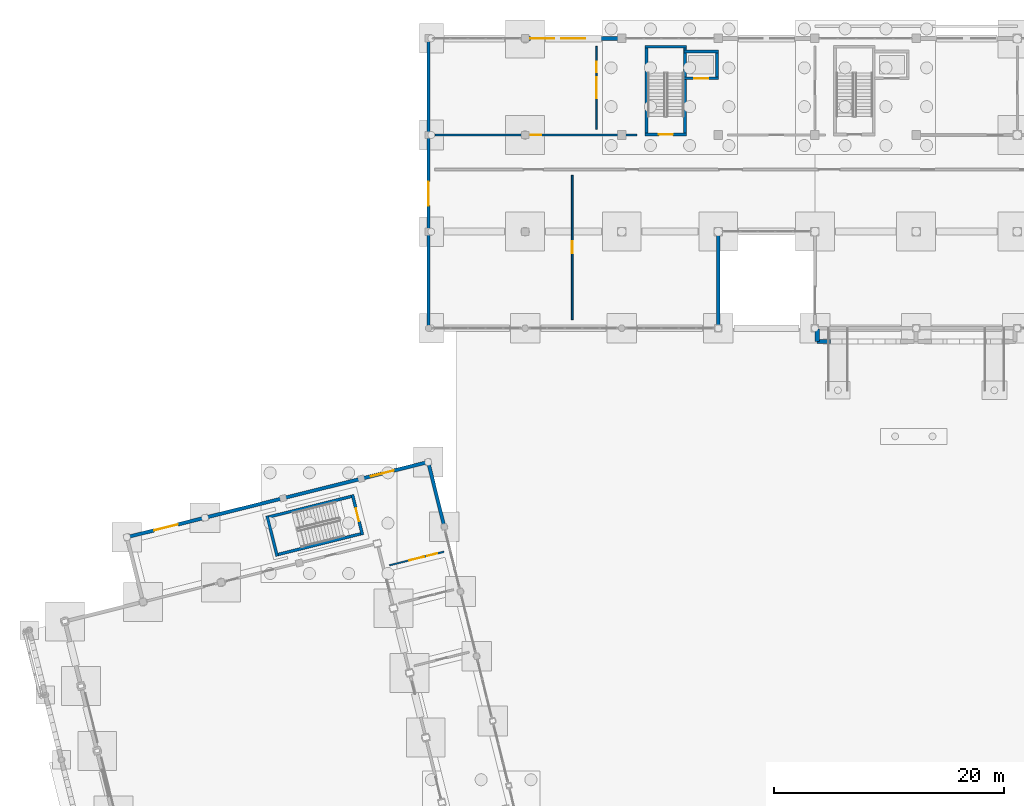
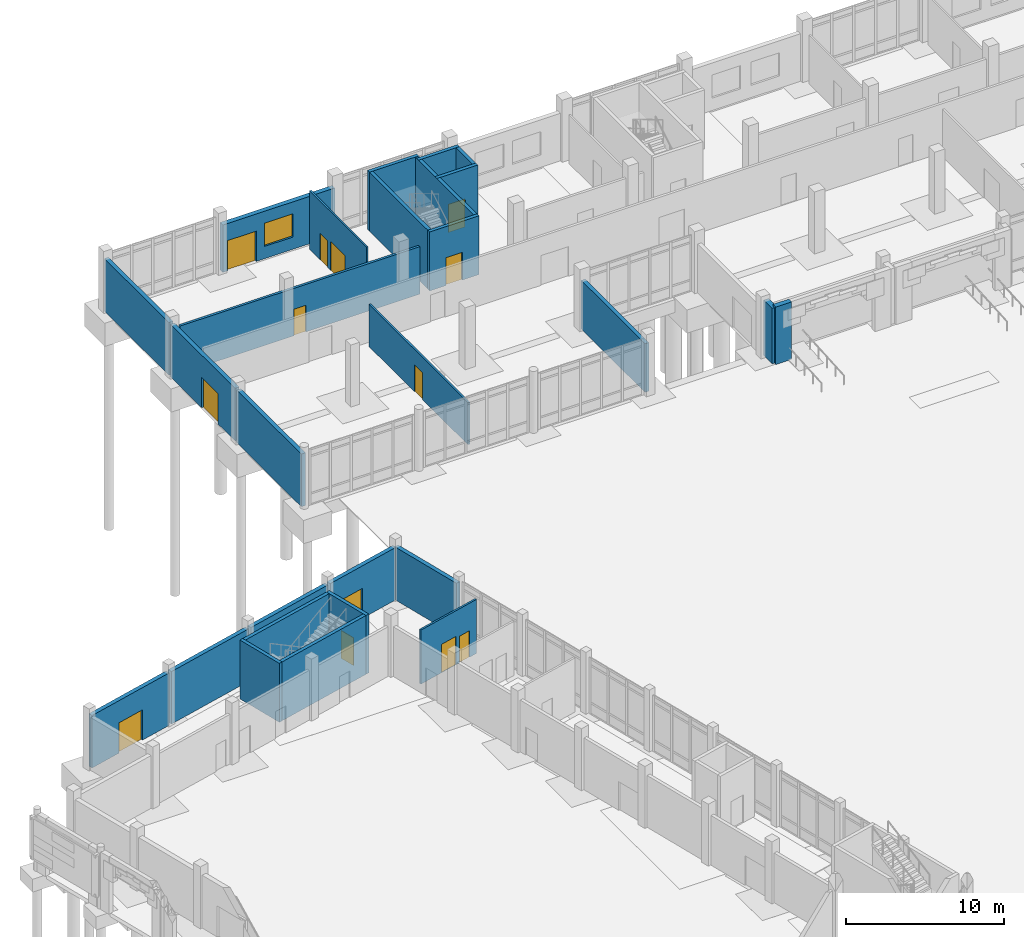
# One storey, part 46 of 72: 27 walls, 13 doors, 1 window, 14 openings.
"""IFC4 building model written with IfcOpenShell, lengths in metres."""

import ifcopenshell
import ifcopenshell.guid

model = None  # the IFC model being written
_history = None  # IfcOwnerHistory: only IFC2X3 demands one
_inside = {}  # id of a spatial element -> (the spatial element, [elements in it])
_under = {}  # id of a project, library or spatial element -> (it, [spatial elements below it])
_declared = {}  # id of a project -> (the project, [libraries it declares])
_typed = {}  # id of a type object -> (the type object, [elements of that type])
_made_of = {}  # id of a material, layer set ... -> (it, [elements and type objects made of it])


def new_model(schema):
    """Start an empty IFC model of exactly this schema.

    Asked for "IFC4X3", IfcOpenShell would pick the latest addendum, in which some entities
    have other attributes; the version numbers below select the first issue.
    IFC2X3 requires an IfcOwnerHistory on every rooted entity: one is made here for all.
    """
    global model, _history
    if schema == "IFC4X3":
        model = ifcopenshell.file(schema_version=(4, 3, 0, 0))
    else:
        model = ifcopenshell.file(schema=schema)
    _inside.clear()
    _under.clear()
    _declared.clear()
    _typed.clear()
    _made_of.clear()
    _history = None
    if model.schema == "IFC2X3":
        org = make("IfcOrganization", Name="unknown")
        user = make(
            "IfcPersonAndOrganization",
            ThePerson=make("IfcPerson", FamilyName="unknown"),
            TheOrganization=org,
        )
        app = make(
            "IfcApplication",
            ApplicationDeveloper=org,
            Version="unknown",
            ApplicationFullName="unknown",
            ApplicationIdentifier="unknown",
        )
        _history = make(
            "IfcOwnerHistory",
            OwningUser=user,
            OwningApplication=app,
            ChangeAction="ADDED",
            CreationDate=0,
        )
    return model


def make(cls, **values):
    """One entity of the class cls with the attributes given. An attribute that is None is left unset."""
    return model.create_entity(
        cls, **{name: value for name, value in values.items() if value is not None}
    )


def rooted(cls, **values):
    """An entity with a GlobalId (a new one), such as an element, a storey or a relation."""
    return make(cls, GlobalId=ifcopenshell.guid.new(), OwnerHistory=_history, **values)


def si_unit(unit_type, name, prefix=None):
    """IfcSIUnit, for example si_unit("LENGTHUNIT", "METRE", prefix="MILLI")."""
    return make("IfcSIUnit", UnitType=unit_type, Prefix=prefix, Name=name)


def assignment(units):
    """IfcUnitAssignment: the units of a project."""
    return None if units is None else make("IfcUnitAssignment", Units=units)


def point(xyz):
    """IfcCartesianPoint."""
    return None if xyz is None else make("IfcCartesianPoint", Coordinates=xyz)


def direction(xyz):
    """IfcDirection."""
    return None if xyz is None else make("IfcDirection", DirectionRatios=xyz)


def frame(location, z_axis=None, x_axis=None):
    """IfcAxis2Placement3D, a coordinate frame: its origin and axes. An axis left out is left unset."""
    return make(
        "IfcAxis2Placement3D",
        Location=point(location),
        Axis=direction(z_axis),
        RefDirection=direction(x_axis),
    )


def frame_2d(location, x_axis=None):
    """IfcAxis2Placement2D, a coordinate frame in the plane: its origin and x axis."""
    return make(
        "IfcAxis2Placement2D", Location=point(location), RefDirection=direction(x_axis)
    )


def origin():
    """The frame at (0, 0, 0) with its axes left unset."""
    return frame((0.0, 0.0, 0.0))


def place(relative_to, where):
    """IfcLocalPlacement: puts the frame where relative to a parent placement (None: the world)."""
    return make(
        "IfcLocalPlacement", PlacementRelTo=relative_to, RelativePlacement=where
    )


def context(
    kind, dimensions, precision=None, world=None, true_north=None, identifier=None
):
    """IfcGeometricRepresentationContext, for example the 3D "Model" context."""
    return make(
        "IfcGeometricRepresentationContext",
        ContextIdentifier=identifier,
        ContextType=kind,
        CoordinateSpaceDimension=dimensions,
        Precision=precision,
        WorldCoordinateSystem=world,
        TrueNorth=true_north,
    )


def subcontext(parent, identifier, kind, view, scale=None):
    """IfcGeometricRepresentationSubContext, for example "Body" below "Model"."""
    return make(
        "IfcGeometricRepresentationSubContext",
        ContextIdentifier=identifier,
        ContextType=kind,
        ParentContext=parent,
        TargetScale=scale,
        TargetView=view,
    )


def project(units=None, contexts=None):
    """IfcProject with its units and contexts."""
    return rooted(
        "IfcProject",
        Name="project",
        RepresentationContexts=contexts,
        UnitsInContext=assignment(units),
    )


def spatial(cls, under=None, at=None, **own):
    """A site, building, storey or space (cls), placed at a placement, below another one or the project."""
    s = rooted(cls, ObjectPlacement=at, **own)
    if under is not None:
        _under.setdefault(under.id(), (under, []))[1].append(s)
    return s


def profile(cls, at=None, kind="AREA", **sizes):
    """A parametric profile (cls). Its sizes go by their IFC names, for example OverallWidth=200.0."""
    return make(cls, ProfileType=kind, Position=at, **sizes)


def rectangle(**sizes):
    """IfcRectangleProfileDef."""
    return profile("IfcRectangleProfileDef", **sizes)


def extrude(swept, where, along, depth):
    """IfcExtrudedAreaSolid: the profile swept, set in the frame where, extruded along a direction by depth."""
    return make(
        "IfcExtrudedAreaSolid",
        SweptArea=swept,
        Position=where,
        ExtrudedDirection=direction(along),
        Depth=depth,
    )


def shape(context_of_items, identifier, shape_type, items):
    """IfcShapeRepresentation: the items that make up one representation, for example the "Body"."""
    return make(
        "IfcShapeRepresentation",
        ContextOfItems=context_of_items,
        RepresentationIdentifier=identifier,
        RepresentationType=shape_type,
        Items=items,
    )


def material(Name=None, Category=None):
    """IfcMaterial."""
    return make("IfcMaterial", Name=Name, Category=Category)


def layer(
    of_material, thickness, ventilated=None, Name=None, Category=None, Priority=None
):
    """IfcMaterialLayer: one layer of a wall or slab, of a material (None: an air gap)."""
    return make(
        "IfcMaterialLayer",
        Material=of_material,
        LayerThickness=thickness,
        IsVentilated=ventilated,
        Name=Name,
        Category=Category,
        Priority=Priority,
    )


def layer_set(layers, Name=None):
    """IfcMaterialLayerSet."""
    return make("IfcMaterialLayerSet", MaterialLayers=layers, LayerSetName=Name)


def made_of(thing, what):
    """Note that an element or type object is made of a material, layer set ...; save() writes the relation."""
    if what is not None:
        _made_of.setdefault(what.id(), (what, []))[1].append(thing)
    return thing


def type_object(cls, material=None, **own):
    """A type object (cls), such as IfcWallType, which elements share."""
    return made_of(rooted(cls, **own), material)


def element(
    cls,
    number,
    at=None,
    inside=None,
    cuts=None,
    type_object=None,
    material=None,
    context=None,
    identifier="Body",
    shape_type=None,
    held_by="IfcProductDefinitionShape",
    body=None,
    shapes=None,
    **own,
):
    """One element of the class cls, such as IfcWall. Its Tag is "e" and its number.

    at: its placement. inside: the storey or other place that contains it. cuts: it is an
    opening in that element (IfcRelVoidsElement). A single representation is given by context,
    identifier, shape_type and body (its items); several are given by shapes. held_by: the class
    of the entity that holds the representations. save() writes the other relations.
    """
    e = rooted(cls, Tag="e%d" % number, ObjectPlacement=at, **own)
    if body is not None:
        shapes = [shape(context, identifier, shape_type, body)]
    if shapes is not None:
        e.Representation = make(held_by, Representations=shapes)
    if inside is not None:
        _inside.setdefault(inside.id(), (inside, []))[1].append(e)
    if cuts is not None:
        rooted(
            "IfcRelVoidsElement", RelatingBuildingElement=cuts, RelatedOpeningElement=e
        )
    if type_object is not None:
        _typed.setdefault(type_object.id(), (type_object, []))[1].append(e)
    return made_of(e, material)


def fill(opening, filler):
    """IfcRelFillsElement: the door or window that sits in an opening."""
    return rooted(
        "IfcRelFillsElement",
        RelatingOpeningElement=opening,
        RelatedBuildingElement=filler,
    )


def aggregate(whole, parts):
    """IfcRelAggregates: a whole, such as a stair, and the parts it consists of."""
    return rooted("IfcRelAggregates", RelatingObject=whole, RelatedObjects=parts)


def save(model, path):
    """Write the relations noted so far, then the file.

    IfcRelAggregates (storeys below a building ...), IfcRelContainedInSpatialStructure (elements
    in a storey), IfcRelDefinesByType, IfcRelAssociatesMaterial and IfcRelDeclares: one each for
    every whole, place, type object, material and project.
    """
    for whole, parts in _under.values():
        aggregate(whole, parts)
    for where, things in _inside.values():
        rooted(
            "IfcRelContainedInSpatialStructure",
            RelatedElements=things,
            RelatingStructure=where,
        )
    for kind, things in _typed.values():
        rooted("IfcRelDefinesByType", RelatedObjects=things, RelatingType=kind)
    for what, things in _made_of.values():
        rooted("IfcRelAssociatesMaterial", RelatedObjects=things, RelatingMaterial=what)
    for by, libraries in _declared.values():
        rooted("IfcRelDeclares", RelatingContext=by, RelatedDefinitions=libraries)
    model.write(path)


model = new_model("IFC4")

# Units and contexts
model_context = context("Model", 3, precision=1e-05, world=origin(), true_north=direction((0.0, 1.0)))
body_context = subcontext(model_context, "Body", "Model", "MODEL_VIEW")
ifc_project = project(units=[si_unit("LENGTHUNIT", "METRE"), si_unit("AREAUNIT", "SQUARE_METRE"), si_unit("VOLUMEUNIT", "CUBIC_METRE"), si_unit("PLANEANGLEUNIT", "RADIAN"), si_unit("MASSUNIT", "GRAM", prefix="KILO")], contexts=[model_context])

# Site, building, storey
site_placement = place(None, origin())
site = spatial("IfcSite", under=ifc_project, at=site_placement, CompositionType="ELEMENT")
building_placement = place(site_placement, origin())
building = spatial("IfcBuilding", under=site, at=building_placement, Name="Cinderway Yard Community Centre", CompositionType="ELEMENT")
storey_placement = place(building_placement, origin())
storey = spatial("IfcBuildingStorey", under=building, at=storey_placement, Name="L00", CompositionType="ELEMENT", Elevation=0.0)

# Walls
ifc_material_1 = material(Name="Brick Masonry", Category="masonry")
ifc_layer_1 = layer(ifc_material_1, 0.360107421875, Name="Brick Masonry")
ifc_layer_set_1 = layer_set([ifc_layer_1], Name="Brick Masonry")
wall_type_1 = type_object("IfcWallType", Name="ENV-WAL-ARCH360", PredefinedType="SOLIDWALL", material=ifc_layer_set_1)
wall_1_placement = place(storey_placement, frame((75.3798828125, 88.85009765625, 0.0), z_axis=(0.0, 0.0, 1.0), x_axis=(1.0, 0.0, 0.0)))
element("IfcWall", 1, at=wall_1_placement, inside=storey, type_object=wall_type_1, Name="Civic Reception West Arched Niche Pier 7A ENV-WAL-L00-0215", PredefinedType="SOLIDWALL", context=body_context, shape_type="SweptSolid", body=[
    extrude(rectangle(XDim=1.170166015625, YDim=0.360107421875, at=frame_2d((0.5849609375, 0.0))), origin(), (0.0, 0.0, 1.0), 4.449951171875),
])
wall_2_placement = place(storey_placement, frame((75.39990234375, 88.85009765625, 0.0), z_axis=(0.0, 0.0, 1.0), x_axis=(0.0, 1.0, 0.0)))
element("IfcWall", 2, at=wall_2_placement, inside=storey, type_object=wall_type_1, Name="Courtyard Arch Niche Cheek Return ENV-WAL-L00-0224", PredefinedType="SOLIDWALL", context=body_context, shape_type="SweptSolid", body=[
    extrude(rectangle(XDim=1.06982421875, YDim=0.360107421875, at=frame_2d((0.534912109375, 0.0))), origin(), (0.0, 0.0, 1.0), 4.300048828125),
])
ifc_material_2 = material(Name="Concrete C35/45", Category="concrete")
ifc_layer_2 = layer(ifc_material_2, 0.280029296875, Name="Concrete C35/45")
ifc_layer_set_2 = layer_set([ifc_layer_2], Name="Concrete C35/45")
wall_type_2 = type_object("IfcWallType", Name="ENV-WAL-EXT280", PredefinedType="SOLIDWALL", material=ifc_layer_set_2)
wall_3_placement = place(storey_placement, frame((66.800048828125, 90.14990234375, 0.0), z_axis=(0.0, 0.0, 1.0), x_axis=(0.0, 1.0, 0.0)))
element("IfcWall", 3, at=wall_3_placement, inside=storey, type_object=wall_type_2, Name="V4 Courtyard Step Wall ENV-WAL-L00-0141", PredefinedType="SOLIDWALL", context=body_context, shape_type="SweptSolid", body=[
    extrude(rectangle(XDim=8.10009765625, YDim=0.280029296875, at=frame_2d((4.050048828125, 0.0))), origin(), (0.0, 0.0, 1.0), 3.77490234375),
])
ifc_layer_3 = layer(ifc_material_1, 0.300048828125, Name="Brick Masonry")
ifc_layer_set_3 = layer_set([ifc_layer_3], Name="Brick Masonry")
wall_type_3 = type_object("IfcWallType", Name="ENV-WAL-EXT300", PredefinedType="SOLIDWALL", material=ifc_layer_set_3)
wall_4_placement = place(storey_placement, frame((42.9580078125, 72.81396484375, 0.0), z_axis=(0.0, 0.0, 1.0), x_axis=(-0.242036480393, 0.970267149892, 0.0)))
element("IfcWall", 4, at=wall_4_placement, inside=storey, type_object=wall_type_3, Name="Stage East Wall ENV-WAL-L00-0014", PredefinedType="SOLIDWALL", context=body_context, shape_type="SweptSolid", body=[
    extrude(rectangle(XDim=5.6396484375, YDim=0.300048828125, at=frame_2d((2.81982421875, 0.0))), origin(), (0.0, 0.0, 1.0), 4.094970703125),
])

# Wall, opening, door
wall_5_placement = place(storey_placement, frame((15.472900390625, 71.85595703125, 0.0), z_axis=(0.0, 0.0, 1.0), x_axis=(0.970298579828, 0.24191045034, 0.0)))
wall_5 = element("IfcWall", 5, at=wall_5_placement, inside=storey, type_object=wall_type_3, Name="Stage North Wall ENV-WAL-L00-0015", PredefinedType="SOLIDWALL", context=body_context, shape_type="SweptSolid", body=[
    extrude(rectangle(XDim=6.800048828125, YDim=0.300048828125, at=frame_2d((3.39990234375, 0.0))), origin(), (0.0, 0.0, 1.0), 4.06494140625),
])
opening_1_placement = place(wall_5_placement, frame((2.35009765625, 0.0, 0.0)))
opening_1 = element("IfcOpeningElement", 6, at=opening_1_placement, cuts=wall_5, Name="Opening D-EX2", PredefinedType="OPENING", context=body_context, shape_type="SweptSolid", body=[
    extrude(rectangle(XDim=2.10009765625, YDim=2.35009765625, at=frame_2d((1.050048828125, 1.175048828125))), frame((0.0, 0.159912109375, 0.0), z_axis=(0.0, -1.0, 0.0), x_axis=(1.0, 0.0, 0.0)), (0.0, 0.0, 1.0), 0.320068359375),
])
ifc_material_3 = material(Name="Aluminium 6063-T6", Category="aluminium")
door_type_1 = type_object("IfcDoorType", Name="INT-DOR-EXT210", OperationType="DOUBLE_DOOR_SINGLE_SWING", PredefinedType="DOOR", material=ifc_material_3)
door_1_placement = place(opening_1_placement, origin())
door_1 = element("IfcDoor", 7, at=door_1_placement, inside=storey, type_object=door_type_1, Name="Stage North Exit EXT-DOR-L00-0066", OperationType="DOUBLE_DOOR_SINGLE_SWING", OverallHeight=2.35009765625, OverallWidth=2.10009765625, PredefinedType="DOOR", context=body_context, shape_type="SweptSolid", body=[
    extrude(rectangle(XDim=2.10009765625, YDim=2.35009765625, at=frame_2d((1.050048828125, 1.175048828125))), frame((0.0, 0.02490234375, 0.0), z_axis=(0.0, -1.0, 0.0), x_axis=(1.0, 0.0, 0.0)), (0.0, 0.0, 1.0), 0.050048828125),
])
fill(opening_1, door_1)

# Walls
wall_6_placement = place(storey_placement, frame((22.264892578125, 73.550048828125, 0.0), z_axis=(0.0, 0.0, 1.0), x_axis=(0.970298579828, 0.24191045034, 0.0)))
element("IfcWall", 8, at=wall_6_placement, inside=storey, type_object=wall_type_3, Name="Stage North Wall ENV-WAL-L00-0016", PredefinedType="SOLIDWALL", context=body_context, shape_type="SweptSolid", body=[
    extrude(rectangle(XDim=6.800048828125, YDim=0.300048828125, at=frame_2d((3.39990234375, 0.0))), origin(), (0.0, 0.0, 1.0), 4.06494140625),
])
wall_7_placement = place(storey_placement, frame((29.05810546875, 75.242919921875, 0.0), z_axis=(0.0, 0.0, 1.0), x_axis=(0.970296478685, 0.241918877831, 0.0)))
element("IfcWall", 9, at=wall_7_placement, inside=storey, type_object=wall_type_3, Name="Stage North Wall ENV-WAL-L00-0017", PredefinedType="SOLIDWALL", context=body_context, shape_type="SweptSolid", body=[
    extrude(rectangle(XDim=6.7998046875, YDim=0.300048828125, at=frame_2d((3.39990234375, 0.0))), origin(), (0.0, 0.0, 1.0), 4.06494140625),
])

# Wall, opening, door
wall_8_placement = place(storey_placement, frame((35.85009765625, 76.93701171875, 0.0), z_axis=(0.0, 0.0, 1.0), x_axis=(0.97029090175, 0.241941244896, 0.0)))
wall_8 = element("IfcWall", 10, at=wall_8_placement, inside=storey, type_object=wall_type_3, Name="Stage North Wall ENV-WAL-L00-0018", PredefinedType="SOLIDWALL", context=body_context, shape_type="SweptSolid", body=[
    extrude(rectangle(XDim=5.79931640625, YDim=0.300048828125, at=frame_2d((2.899658203125, 0.0))), origin(), (0.0, 0.0, 1.0), 4.06494140625),
])
opening_2_placement = place(wall_8_placement, frame((0.77490234375, 0.0, 0.0)))
opening_2 = element("IfcOpeningElement", 11, at=opening_2_placement, cuts=wall_8, Name="Opening G-04", PredefinedType="OPENING", context=body_context, shape_type="SweptSolid", body=[
    extrude(rectangle(XDim=2.050048828125, YDim=2.320068359375, at=frame_2d((1.02490234375, 1.16015625))), frame((0.0, 0.159912109375, 0.0), z_axis=(0.0, -1.0, 0.0), x_axis=(1.0, 0.0, 0.0)), (0.0, 0.0, 1.0), 0.320068359375),
])
ifc_material_4 = material(Name="Painted Galvanised Steel", Category="steel")
door_type_2 = type_object("IfcDoorType", Name="INT-GAT-YARD205", OperationType="DOUBLE_DOOR_SINGLE_SWING", PredefinedType="GATE", material=ifc_material_4)
door_2_placement = place(opening_2_placement, origin())
door_2 = element("IfcDoor", 12, at=door_2_placement, inside=storey, type_object=door_type_2, Name="Stage Scenery Gate EXT-DOR-L00-0067", OperationType="DOUBLE_DOOR_SINGLE_SWING", OverallHeight=2.320068359375, OverallWidth=2.050048828125, PredefinedType="GATE", context=body_context, shape_type="SweptSolid", body=[
    extrude(rectangle(XDim=2.050048828125, YDim=2.320068359375, at=frame_2d((1.02490234375, 1.16015625))), frame((0.0, 0.02490234375, 0.0), z_axis=(0.0, -1.0, 0.0), x_axis=(1.0, 0.0, 0.0)), (0.0, 0.0, 1.0), 0.050048828125),
])
fill(opening_2, door_2)

# Wall
wall_9_placement = place(storey_placement, frame((41.60009765625, 90.10009765625, 0.0), z_axis=(0.0, 0.0, 1.0), x_axis=(0.0, 1.0, 0.0)))
element("IfcWall", 13, at=wall_9_placement, inside=storey, type_object=wall_type_3, Name="V4 West End Wall ENV-WAL-L00-0136", PredefinedType="SOLIDWALL", context=body_context, shape_type="SweptSolid", body=[
    extrude(rectangle(XDim=8.199951171875, YDim=0.300048828125, at=frame_2d((4.10009765625, 0.0))), origin(), (0.0, 0.0, 1.0), 4.074951171875),
])

# Wall, opening, door
wall_10_placement = place(storey_placement, frame((41.60009765625, 98.5, 0.0), z_axis=(0.0, 0.0, 1.0), x_axis=(0.0, 1.0, 0.0)))
wall_10 = element("IfcWall", 14, at=wall_10_placement, inside=storey, type_object=wall_type_3, Name="V4 West End Wall ENV-WAL-L00-0137", PredefinedType="SOLIDWALL", context=body_context, shape_type="SweptSolid", body=[
    extrude(rectangle(XDim=8.199951171875, YDim=0.300048828125, at=frame_2d((4.10009765625, 0.0))), origin(), (0.0, 0.0, 1.0), 4.074951171875),
])
opening_3_placement = place(wall_10_placement, frame((2.14990234375, 0.0, 0.0)))
opening_3 = element("IfcOpeningElement", 15, at=opening_3_placement, cuts=wall_10, Name="Opening D-EX2", PredefinedType="OPENING", context=body_context, shape_type="SweptSolid", body=[
    extrude(rectangle(XDim=2.10009765625, YDim=2.35009765625, at=frame_2d((1.050048828125, 1.175048828125))), frame((0.0, 0.159912109375, 0.0), z_axis=(0.0, -1.0, 0.0), x_axis=(1.0, 0.0, 0.0)), (0.0, 0.0, 1.0), 0.320068359375),
])
door_3_placement = place(opening_3_placement, origin())
door_3 = element("IfcDoor", 16, at=door_3_placement, inside=storey, type_object=door_type_1, Name="Adult Wing West Street Exit EXT-DOR-L00-0079", OperationType="DOUBLE_DOOR_SINGLE_SWING", OverallHeight=2.35009765625, OverallWidth=2.10009765625, PredefinedType="DOOR", context=body_context, shape_type="SweptSolid", body=[
    extrude(rectangle(XDim=2.10009765625, YDim=2.35009765625, at=frame_2d((1.050048828125, 1.175048828125))), frame((0.0, 0.02490234375, 0.0), z_axis=(0.0, -1.0, 0.0), x_axis=(1.0, 0.0, 0.0)), (0.0, 0.0, 1.0), 0.050048828125),
])
fill(opening_3, door_3)

# Wall
wall_11_placement = place(storey_placement, frame((41.60009765625, 106.89990234375, 0.0), z_axis=(0.0, 0.0, 1.0), x_axis=(0.0, 1.0, 0.0)))
element("IfcWall", 17, at=wall_11_placement, inside=storey, type_object=wall_type_3, Name="V4 West End Wall ENV-WAL-L00-0138", PredefinedType="SOLIDWALL", context=body_context, shape_type="SweptSolid", body=[
    extrude(rectangle(XDim=8.2001953125, YDim=0.300048828125, at=frame_2d((4.10009765625, 0.0))), origin(), (0.0, 0.0, 1.0), 4.074951171875),
])

# Wall, openings, window, door
ifc_layer_4 = layer(ifc_material_1, 0.340087890625, Name="Brick Masonry")
ifc_layer_set_4 = layer_set([ifc_layer_4], Name="Brick Masonry")
wall_type_4 = type_object("IfcWallType", Name="ENV-WAL-EXT340", PredefinedType="SOLIDWALL", material=ifc_layer_set_4)
wall_12_placement = place(storey_placement, frame((50.10009765625, 115.199951171875, 0.0), z_axis=(0.0, 0.0, 1.0), x_axis=(1.0, 0.0, 0.0)))
wall_12 = element("IfcWall", 18, at=wall_12_placement, inside=storey, type_object=wall_type_4, Name="V4 Street Brick Facade Wall ENV-WAL-L00-0126", PredefinedType="SOLIDWALL", context=body_context, shape_type="SweptSolid", body=[
    extrude(rectangle(XDim=8.199951171875, YDim=0.340087890625, at=frame_2d((4.10009765625, 0.0))), origin(), (0.0, 0.0, 1.0), 3.675048828125),
])
opening_4_placement = place(wall_12_placement, frame((3.050048828125, 0.0, 0.949951171875)))
opening_4 = element("IfcOpeningElement", 19, at=opening_4_placement, cuts=wall_12, Name="Opening W-09", PredefinedType="OPENING", context=body_context, shape_type="SweptSolid", body=[
    extrude(rectangle(XDim=2.10009765625, YDim=1.800048828125, at=frame_2d((1.050048828125, 0.89990234375))), frame((0.0, 0.179931640625, 0.0), z_axis=(0.0, -1.0, 0.0), x_axis=(1.0, 0.0, 0.0)), (0.0, 0.0, 1.0), 0.360107421875),
])
opening_5_placement = place(wall_12_placement, frame((0.35009765625, 0.0, 0.0)))
opening_5 = element("IfcOpeningElement", 20, at=opening_5_placement, cuts=wall_12, Name="Opening D-EX2", PredefinedType="OPENING", context=body_context, shape_type="SweptSolid", body=[
    extrude(rectangle(XDim=2.10009765625, YDim=2.35009765625, at=frame_2d((1.050048828125, 1.175048828125))), frame((0.0, 0.179931640625, 0.0), z_axis=(0.0, -1.0, 0.0), x_axis=(1.0, 0.0, 0.0)), (0.0, 0.0, 1.0), 0.360107421875),
])
ifc_material_5 = material(Name="Laminated Low-E Glass", Category="glass")
window_type = type_object("IfcWindowType", Name="ENV-WIN-W09", PartitioningType="TRIPLE_PANEL_VERTICAL", PredefinedType="WINDOW", material=ifc_material_5)
window_placement = place(opening_4_placement, origin())
window = element("IfcWindow", 21, at=window_placement, inside=storey, type_object=window_type, Name="Exterior window ENV-WIN-L00-0090", OverallHeight=1.800048828125, OverallWidth=2.10009765625, PartitioningType="SINGLE_PANEL", PredefinedType="WINDOW", context=body_context, shape_type="SweptSolid", body=[
    extrude(rectangle(XDim=2.10009765625, YDim=1.800048828125, at=frame_2d((1.050048828125, 0.89990234375))), frame((0.0, 0.030029296875, 0.0), z_axis=(0.0, -1.0, 0.0), x_axis=(1.0, 0.0, 0.0)), (0.0, 0.0, 1.0), 0.06005859375),
])
fill(opening_4, window)
door_4_placement = place(opening_5_placement, origin())
door_4 = element("IfcDoor", 22, at=door_4_placement, inside=storey, type_object=door_type_1, Name="Fire Command Street Entrance EXT-DOR-L00-0078", OperationType="DOUBLE_DOOR_SINGLE_SWING", OverallHeight=2.35009765625, OverallWidth=2.10009765625, PredefinedType="DOOR", context=body_context, shape_type="SweptSolid", body=[
    extrude(rectangle(XDim=2.10009765625, YDim=2.35009765625, at=frame_2d((1.050048828125, 1.175048828125))), frame((0.0, 0.02490234375, 0.0), z_axis=(0.0, -1.0, 0.0), x_axis=(1.0, 0.0, 0.0)), (0.0, 0.0, 1.0), 0.050048828125),
])
fill(opening_5, door_4)

# Wall, openings, doors
ifc_material_6 = material(Name="Gypsum Board Partition", Category="gypsum")
ifc_layer_5 = layer(ifc_material_6, 0.1201171875, Name="Gypsum Board Partition")
ifc_layer_set_5 = layer_set([ifc_layer_5], Name="Gypsum Board Partition")
wall_type_5 = type_object("IfcWallType", Name="INT-WAL-PRT120", PredefinedType="PARTITIONING", material=ifc_layer_set_5)
wall_13_placement = place(storey_placement, frame((56.199951171875, 107.300048828125, 0.0), z_axis=(0.0, 0.0, 1.0), x_axis=(0.0, 1.0, 0.0)))
wall_13 = element("IfcWall", 23, at=wall_13_placement, inside=storey, type_object=wall_type_5, Name="V4 L00 North Room Partition INT-PRT-L00-0285", PredefinedType="PARTITIONING", context=body_context, shape_type="SweptSolid", body=[
    extrude(rectangle(XDim=7.199951171875, YDim=0.1201171875, at=frame_2d((3.60009765625, 0.0))), origin(), (0.0, 0.0, 1.0), 4.544921875),
])
opening_6_placement = place(wall_13_placement, frame((2.675048828125, 0.0, 0.0)))
opening_6 = element("IfcOpeningElement", 24, at=opening_6_placement, cuts=wall_13, Name="Opening D-02", PredefinedType="OPENING", context=body_context, shape_type="SweptSolid", body=[
    extrude(rectangle(XDim=1.85009765625, YDim=2.219970703125, at=frame_2d((0.925048828125, 1.10986328125))), frame((0.0, 0.070068359375, 0.0), z_axis=(0.0, -1.0, 0.0), x_axis=(1.0, 0.0, 0.0)), (0.0, 0.0, 1.0), 0.14013671875),
])
opening_7_placement = place(wall_13_placement, frame((4.949951171875, 0.0, 0.0)))
opening_7 = element("IfcOpeningElement", 25, at=opening_7_placement, cuts=wall_13, Name="Opening D-10", PredefinedType="OPENING", context=body_context, shape_type="SweptSolid", body=[
    extrude(rectangle(XDim=0.89990234375, YDim=2.06005859375, at=frame_2d((0.449951171875, 1.030029296875))), frame((0.0, 0.070068359375, 0.0), z_axis=(0.0, -1.0, 0.0), x_axis=(1.0, 0.0, 0.0)), (0.0, 0.0, 1.0), 0.14013671875),
])
ifc_material_7 = material(Name="Hardwood Timber", Category="wood")
door_type_3 = type_object("IfcDoorType", Name="INT-DOR-HAL185", OperationType="DOUBLE_DOOR_SINGLE_SWING", PredefinedType="DOOR", material=ifc_material_7)
door_5_placement = place(opening_6_placement, origin())
door_5 = element("IfcDoor", 26, at=door_5_placement, inside=storey, type_object=door_type_3, Name="Room door INT-DOR-L00-0148", OperationType="DOUBLE_DOOR_SINGLE_SWING", OverallHeight=2.219970703125, OverallWidth=1.85009765625, PredefinedType="DOOR", context=body_context, shape_type="SweptSolid", body=[
    extrude(rectangle(XDim=1.85009765625, YDim=2.219970703125, at=frame_2d((0.925048828125, 1.10986328125))), frame((0.0, 0.02490234375, 0.0), z_axis=(0.0, -1.0, 0.0), x_axis=(1.0, 0.0, 0.0)), (0.0, 0.0, 1.0), 0.050048828125),
])
fill(opening_6, door_5)
door_type_4 = type_object("IfcDoorType", Name="INT-DOR-SAN090", OperationType="NOTDEFINED", PredefinedType="DOOR", material=ifc_material_7)
door_6_placement = place(opening_7_placement, origin())
door_6 = element("IfcDoor", 27, at=door_6_placement, inside=storey, type_object=door_type_4, Name="Potable Cistern & Booster Pump Plant Door INT-DOR-L00-0294", OperationType="SINGLE_SWING_RIGHT", OverallHeight=2.06005859375, OverallWidth=0.89990234375, PredefinedType="DOOR", context=body_context, shape_type="SweptSolid", body=[
    extrude(rectangle(XDim=0.89990234375, YDim=2.06005859375, at=frame_2d((0.449951171875, 1.030029296875))), frame((0.0, 0.02490234375, 0.0), z_axis=(0.0, -1.0, 0.0), x_axis=(1.0, 0.0, 0.0)), (0.0, 0.0, 1.0), 0.050048828125),
])
fill(opening_7, door_6)

ifc_layer_6 = layer(ifc_material_6, 0.139892578125, Name="Gypsum Board Partition")
ifc_layer_set_6 = layer_set([ifc_layer_6], Name="Gypsum Board Partition")
wall_type_6 = type_object("IfcWallType", Name="INT-WAL-PRT140", PredefinedType="PARTITIONING", material=ifc_layer_set_6)
wall_14_placement = place(storey_placement, frame((38.197998046875, 69.3798828125, 0.0), z_axis=(0.0, 0.0, 1.0), x_axis=(0.970294761766, 0.241925764003, 0.0)))
wall_14 = element("IfcWall", 28, at=wall_14_placement, inside=storey, type_object=wall_type_6, Name="V1 Gallery Sanitary Partition INT-PRT-L00-0242", PredefinedType="PARTITIONING", context=body_context, shape_type="SweptSolid", body=[
    extrude(rectangle(XDim=4.8984375, YDim=0.139892578125, at=frame_2d((2.44921875, 0.0))), origin(), (0.0, 0.0, 1.0), 4.18701171875),
])
opening_8_placement = place(wall_14_placement, frame((1.799072265625, 0.0, 0.0)))
opening_8 = element("IfcOpeningElement", 29, at=opening_8_placement, cuts=wall_14, Name="Opening D-12", PredefinedType="OPENING", context=body_context, shape_type="SweptSolid", body=[
    extrude(rectangle(XDim=1.300048828125, YDim=2.199951171875, at=frame_2d((0.64990234375, 1.10009765625))), frame((0.0, 0.079833984375, 0.0), z_axis=(0.0, -1.0, 0.0), x_axis=(1.0, 0.0, 0.0)), (0.0, 0.0, 1.0), 0.159912109375),
])
opening_9_placement = place(wall_14_placement, frame((3.39892578125, 0.0, 0.0)))
opening_9 = element("IfcOpeningElement", 30, at=opening_9_placement, cuts=wall_14, Name="Opening D-10", PredefinedType="OPENING", context=body_context, shape_type="SweptSolid", body=[
    extrude(rectangle(XDim=0.89990234375, YDim=2.06005859375, at=frame_2d((0.449951171875, 1.030029296875))), frame((0.0, 0.079833984375, 0.0), z_axis=(0.0, -1.0, 0.0), x_axis=(1.0, 0.0, 0.0)), (0.0, 0.0, 1.0), 0.159912109375),
])
door_type_5 = type_object("IfcDoorType", Name="INT-DOR-PLT130", OperationType="NOTDEFINED", PredefinedType="DOOR", material=ifc_material_4)
door_7_placement = place(opening_8_placement, origin())
door_7 = element("IfcDoor", 31, at=door_7_placement, inside=storey, type_object=door_type_5, Name="Room door INT-DOR-L00-0107", OperationType="SINGLE_SWING_RIGHT", OverallHeight=2.199951171875, OverallWidth=1.300048828125, PredefinedType="DOOR", context=body_context, shape_type="SweptSolid", body=[
    extrude(rectangle(XDim=1.300048828125, YDim=2.199951171875, at=frame_2d((0.64990234375, 1.10009765625))), frame((0.0, 0.02490234375, 0.0), z_axis=(0.0, -1.0, 0.0), x_axis=(1.0, 0.0, 0.0)), (0.0, 0.0, 1.0), 0.050048828125),
])
fill(opening_8, door_7)
door_8_placement = place(opening_9_placement, origin())
door_8 = element("IfcDoor", 32, at=door_8_placement, inside=storey, type_object=door_type_4, Name="Accessible WC Door INT-DOR-L00-0286", OperationType="SINGLE_SWING_RIGHT", OverallHeight=2.06005859375, OverallWidth=0.89990234375, PredefinedType="DOOR", context=body_context, shape_type="SweptSolid", body=[
    extrude(rectangle(XDim=0.89990234375, YDim=2.06005859375, at=frame_2d((0.449951171875, 1.030029296875))), frame((0.0, 0.02490234375, 0.0), z_axis=(0.0, -1.0, 0.0), x_axis=(1.0, 0.0, 0.0)), (0.0, 0.0, 1.0), 0.050048828125),
])
fill(opening_9, door_8)

# Wall, opening, door
wall_15_placement = place(storey_placement, frame((54.10009765625, 90.75, 0.0), z_axis=(0.0, 0.0, 1.0), x_axis=(0.0, 1.0, 0.0)))
wall_15 = element("IfcWall", 33, at=wall_15_placement, inside=storey, type_object=wall_type_6, Name="V4 L00 South Room Partition INT-PRT-L00-0283", PredefinedType="PARTITIONING", context=body_context, shape_type="SweptSolid", body=[
    extrude(rectangle(XDim=12.550048828125, YDim=0.139892578125, at=frame_2d((6.27490234375, 0.0))), origin(), (0.0, 0.0, 1.0), 3.27490234375),
])
opening_10_placement = place(wall_15_placement, frame((5.7548828125, 0.0, 0.0)))
opening_10 = element("IfcOpeningElement", 34, at=opening_10_placement, cuts=wall_15, Name="Opening D-17", PredefinedType="OPENING", context=body_context, shape_type="SweptSolid", body=[
    extrude(rectangle(XDim=1.0400390625, YDim=2.080078125, at=frame_2d((0.52001953125, 1.0400390625))), frame((0.0, 0.079833984375, 0.0), z_axis=(0.0, -1.0, 0.0), x_axis=(1.0, 0.0, 0.0)), (0.0, 0.0, 1.0), 0.159912109375),
])
door_type_6 = type_object("IfcDoorType", Name="INT-DOR-NUR104", OperationType="NOTDEFINED", PredefinedType="DOOR", material=ifc_material_7)
door_9_placement = place(opening_10_placement, origin())
door_9 = element("IfcDoor", 35, at=door_9_placement, inside=storey, type_object=door_type_6, Name="Room door INT-DOR-L00-0146", OperationType="SINGLE_SWING_RIGHT", OverallHeight=2.080078125, OverallWidth=1.0400390625, PredefinedType="DOOR", context=body_context, shape_type="SweptSolid", body=[
    extrude(rectangle(XDim=1.0400390625, YDim=2.080078125, at=frame_2d((0.52001953125, 1.0400390625))), frame((0.0, 0.02490234375, 0.0), z_axis=(0.0, -1.0, 0.0), x_axis=(1.0, 0.0, 0.0)), (0.0, 0.0, 1.0), 0.050048828125),
])
fill(opening_10, door_9)

ifc_layer_7 = layer(ifc_material_1, 0.179931640625, Name="Brick Masonry")
ifc_layer_set_7 = layer_set([ifc_layer_7], Name="Brick Masonry")
wall_type_7 = type_object("IfcWallType", Name="INT-WAL-PRT180", PredefinedType="PARTITIONING", material=ifc_layer_set_7)
wall_16_placement = place(storey_placement, frame((42.14990234375, 106.800048828125, 0.0), z_axis=(0.0, 0.0, 1.0), x_axis=(1.0, 0.0, 0.0)))
wall_16 = element("IfcWall", 36, at=wall_16_placement, inside=storey, type_object=wall_type_7, Name="V4 L00 North Corridor Spine INT-PRT-L00-0278", PredefinedType="PARTITIONING", context=body_context, shape_type="SweptSolid", body=[
    extrude(rectangle(XDim=17.580078125, YDim=0.179931640625, at=frame_2d((8.7900390625, 0.0))), origin(), (0.0, 0.0, 1.0), 3.675048828125),
])
opening_11_placement = place(wall_16_placement, frame((8.340087890625, 0.0, 0.0)))
opening_11 = element("IfcOpeningElement", 37, at=opening_11_placement, cuts=wall_16, Name="Opening D-10", PredefinedType="OPENING", context=body_context, shape_type="SweptSolid", body=[
    extrude(rectangle(XDim=0.89990234375, YDim=2.06005859375, at=frame_2d((0.449951171875, 1.030029296875))), frame((0.0, 0.099853515625, 0.0), z_axis=(0.0, -1.0, 0.0), x_axis=(1.0, 0.0, 0.0)), (0.0, 0.0, 1.0), 0.199951171875),
])
door_10_placement = place(opening_11_placement, origin())
door_10 = element("IfcDoor", 38, at=door_10_placement, inside=storey, type_object=door_type_4, Name="Room door INT-DOR-L00-0139", OperationType="SINGLE_SWING_RIGHT", OverallHeight=2.06005859375, OverallWidth=0.89990234375, PredefinedType="DOOR", context=body_context, shape_type="SweptSolid", body=[
    extrude(rectangle(XDim=0.89990234375, YDim=2.06005859375, at=frame_2d((0.449951171875, 1.030029296875))), frame((0.0, 0.02490234375, 0.0), z_axis=(0.0, -1.0, 0.0), x_axis=(1.0, 0.0, 0.0)), (0.0, 0.0, 1.0), 0.050048828125),
])
fill(opening_11, door_10)

ifc_material_8 = material(Name="Concrete C40/50", Category="concrete")
ifc_layer_8 = layer(ifc_material_8, 0.25, Name="Concrete C40/50")
ifc_layer_set_8 = layer_set([ifc_layer_8], Name="Concrete C40/50")
wall_type_8 = type_object("IfcWallType", Name="INT-WAL-SHR250", PredefinedType="SHEAR", material=ifc_layer_set_8)
wall_17_placement = place(storey_placement, frame((64.044921875, 106.830078125, 0.0), z_axis=(0.0, 0.0, 1.0), x_axis=(-1.0, 0.0, 0.0)))
wall_17 = element("IfcWall", 39, at=wall_17_placement, inside=storey, type_object=wall_type_8, Name="Stair ST-01 Entry Wall INT-WAL-L00-0001", PredefinedType="SHEAR", context=body_context, shape_type="SweptSolid", body=[
    extrude(rectangle(XDim=3.60986328125, YDim=0.25, at=frame_2d((1.804931640625, 0.0))), origin(), (0.0, 0.0, 1.0), 4.56005859375),
])
opening_12_placement = place(wall_17_placement, frame((1.205078125, 0.0, 0.0)))
opening_12 = element("IfcOpeningElement", 40, at=opening_12_placement, cuts=wall_17, Name="Opening D-ST1", PredefinedType="OPENING", context=body_context, shape_type="SweptSolid", body=[
    extrude(rectangle(XDim=1.199951171875, YDim=2.14990234375, at=frame_2d((0.60009765625, 1.074951171875))), frame((0.0, 0.135009765625, 0.0), z_axis=(0.0, -1.0, 0.0), x_axis=(1.0, 0.0, 0.0)), (0.0, 0.0, 1.0), 0.27001953125),
])
door_type_7 = type_object("IfcDoorType", Name="INT-DOR-ST120", OperationType="NOTDEFINED", PredefinedType="DOOR", material=ifc_material_4)
door_11_placement = place(opening_12_placement, origin())
door_11 = element("IfcDoor", 41, at=door_11_placement, inside=storey, type_object=door_type_7, Name="Core door INT-DOR-L00-0001", OperationType="SINGLE_SWING_LEFT", OverallHeight=2.14990234375, OverallWidth=1.199951171875, PredefinedType="DOOR", context=body_context, shape_type="SweptSolid", body=[
    extrude(rectangle(XDim=1.199951171875, YDim=2.14990234375, at=frame_2d((0.60009765625, 1.074951171875))), frame((0.0, 0.02490234375, 0.0), z_axis=(0.0, -1.0, 0.0), x_axis=(1.0, 0.0, 0.0)), (0.0, 0.0, 1.0), 0.050048828125),
])
fill(opening_12, door_11)

# Walls
wall_18_placement = place(storey_placement, frame((60.43505859375, 114.469970703125, 0.0), z_axis=(0.0, 0.0, 1.0), x_axis=(1.0, 0.0, 0.0)))
element("IfcWall", 42, at=wall_18_placement, inside=storey, type_object=wall_type_8, Name="Stair ST-01 Back Wall INT-WAL-L00-0002", PredefinedType="SHEAR", context=body_context, shape_type="SweptSolid", body=[
    extrude(rectangle(XDim=3.60986328125, YDim=0.25, at=frame_2d((1.804931640625, 0.0))), origin(), (0.0, 0.0, 1.0), 4.56005859375),
])
for number, where, z_axis, x_axis, name in (
    (43, (60.56005859375, 106.955078125, 0.0), (0.0, 0.0, 1.0), (0.0, 1.0, 0.0), "Stair ST-01 Side Wall L INT-WAL-L00-0003"),
    (44, (63.919921875, 114.344970703125, 0.0), (0.0, 0.0, 1.0), (0.0, -1.0, 0.0), "Stair ST-01 Side Wall R INT-WAL-L00-0004"),
):
    element("IfcWall", number, at=place(storey_placement, frame(where, z_axis=z_axis, x_axis=x_axis)), inside=storey, type_object=wall_type_8, Name=name, PredefinedType="SHEAR", context=body_context, shape_type="SweptSolid", body=[
        extrude(rectangle(XDim=7.389892578125, YDim=0.25, at=frame_2d((3.69482421875, 0.0))), origin(), (0.0, 0.0, 1.0), 4.56005859375),
    ])

# Wall, opening, door
wall_19_placement = place(storey_placement, frame((63.800048828125, 111.72998046875, 0.0), z_axis=(0.0, 0.0, 1.0), x_axis=(1.0, 0.0, 0.0)))
wall_19 = element("IfcWall", 45, at=wall_19_placement, inside=storey, type_object=wall_type_8, Name="Lift LF-01 South Wall INT-WAL-L00-0025", PredefinedType="SHEAR", context=body_context, shape_type="SweptSolid", body=[
    extrude(rectangle(XDim=3.0, YDim=0.25, at=frame_2d((1.5, 0.0))), origin(), (0.0, 0.0, 1.0), 4.56005859375),
])
opening_13_placement = place(wall_19_placement, frame((0.889892578125, 0.0, 0.0)))
opening_13 = element("IfcOpeningElement", 46, at=opening_13_placement, cuts=wall_19, Name="Opening LD-02", PredefinedType="OPENING", context=body_context, shape_type="SweptSolid", body=[
    extrude(rectangle(XDim=1.219970703125, YDim=2.179931640625, at=frame_2d((0.60986328125, 1.08984375))), frame((0.0, 0.135009765625, 0.0), z_axis=(0.0, -1.0, 0.0), x_axis=(1.0, 0.0, 0.0)), (0.0, 0.0, 1.0), 0.27001953125),
])
door_type_8 = type_object("IfcDoorType", Name="INT-DOR-LD02", OperationType="SLIDING_TO_RIGHT", PredefinedType="DOOR", material=ifc_material_4)
door_12_placement = place(opening_13_placement, origin())
door_12 = element("IfcDoor", 47, at=door_12_placement, inside=storey, type_object=door_type_8, Name="Lift landing door INT-DOR-L00-0007", OperationType="SLIDING_TO_RIGHT", OverallHeight=2.179931640625, OverallWidth=1.219970703125, PredefinedType="DOOR", context=body_context, shape_type="SweptSolid", body=[
    extrude(rectangle(XDim=1.219970703125, YDim=2.179931640625, at=frame_2d((0.60986328125, 1.08984375))), frame((0.0, 0.02490234375, 0.0), z_axis=(0.0, -1.0, 0.0), x_axis=(1.0, 0.0, 0.0)), (0.0, 0.0, 1.0), 0.050048828125),
])
fill(opening_13, door_12)

# Walls
wall_20_placement = place(storey_placement, frame((66.800048828125, 114.070068359375, 0.0), z_axis=(0.0, 0.0, 1.0), x_axis=(-1.0, 0.0, 0.0)))
element("IfcWall", 48, at=wall_20_placement, inside=storey, type_object=wall_type_8, Name="Lift LF-01 North Wall INT-WAL-L00-0026", PredefinedType="SHEAR", context=body_context, shape_type="SweptSolid", body=[
    extrude(rectangle(XDim=3.0, YDim=0.25, at=frame_2d((1.5, 0.0))), origin(), (0.0, 0.0, 1.0), 4.56005859375),
])
wall_21_placement = place(storey_placement, frame((66.669921875, 111.860107421875, 0.0), z_axis=(0.0, 0.0, 1.0), x_axis=(0.0, 1.0, 0.0)))
element("IfcWall", 49, at=wall_21_placement, inside=storey, type_object=wall_type_8, Name="Lift LF-01 East Wall INT-WAL-L00-0027", PredefinedType="SHEAR", context=body_context, shape_type="SweptSolid", body=[
    extrude(rectangle(XDim=2.079833984375, YDim=0.25, at=frame_2d((1.0400390625, 0.0))), origin(), (0.0, 0.0, 1.0), 4.56005859375),
])

# Wall, opening, door
wall_22_placement = place(storey_placement, frame((34.98388671875, 75.531005859375, 0.0), z_axis=(0.0, 0.0, 1.0), x_axis=(0.242090083699, -0.97025377679, 0.0)))
wall_22 = element("IfcWall", 50, at=wall_22_placement, inside=storey, type_object=wall_type_8, Name="Stair ST-06 Entry Wall INT-WAL-L00-0149", PredefinedType="SHEAR", context=body_context, shape_type="SweptSolid", body=[
    extrude(rectangle(XDim=3.6103515625, YDim=0.25, at=frame_2d((1.80517578125, 0.0))), origin(), (0.0, 0.0, 1.0), 4.56005859375),
])
opening_14_placement = place(wall_22_placement, frame((1.235107421875, 0.0, 0.0)))
opening_14 = element("IfcOpeningElement", 51, at=opening_14_placement, cuts=wall_22, Name="Opening D-ST2", PredefinedType="OPENING", context=body_context, shape_type="SweptSolid", body=[
    extrude(rectangle(XDim=1.139892578125, YDim=2.14990234375, at=frame_2d((0.56982421875, 1.074951171875))), frame((0.0, 0.135009765625, 0.0), z_axis=(0.0, -1.0, 0.0), x_axis=(1.0, 0.0, 0.0)), (0.0, 0.0, 1.0), 0.27001953125),
])
door_type_9 = type_object("IfcDoorType", Name="INT-DOR-ST114", OperationType="NOTDEFINED", PredefinedType="DOOR", material=ifc_material_4)
door_13_placement = place(opening_14_placement, origin())
door_13 = element("IfcDoor", 52, at=door_13_placement, inside=storey, type_object=door_type_9, Name="Core door INT-DOR-L00-0041", OperationType="SINGLE_SWING_RIGHT", OverallHeight=2.14990234375, OverallWidth=1.139892578125, PredefinedType="DOOR", context=body_context, shape_type="SweptSolid", body=[
    extrude(rectangle(XDim=1.139892578125, YDim=2.14990234375, at=frame_2d((0.56982421875, 1.074951171875))), frame((0.0, 0.02490234375, 0.0), z_axis=(0.0, -1.0, 0.0), x_axis=(1.0, 0.0, 0.0)), (0.0, 0.0, 1.0), 0.050048828125),
])
fill(opening_14, door_13)

# Walls
wall_23_placement = place(storey_placement, frame((28.444091796875, 70.179931640625, 0.0), z_axis=(0.0, 0.0, 1.0), x_axis=(-0.241898912952, 0.970301456204, 0.0)))
element("IfcWall", 53, at=wall_23_placement, inside=storey, type_object=wall_type_8, Name="Stair ST-06 Back Wall INT-WAL-L00-0150", PredefinedType="SHEAR", context=body_context, shape_type="SweptSolid", body=[
    extrude(rectangle(XDim=3.609130859375, YDim=0.25, at=frame_2d((1.8046875, 0.0))), origin(), (0.0, 0.0, 1.0), 4.56005859375),
])
wall_24_placement = place(storey_placement, frame((35.7060546875, 72.118896484375, 0.0), z_axis=(0.0, 0.0, 1.0), x_axis=(-0.970299691856, -0.241905989972, 0.0)))
element("IfcWall", 54, at=wall_24_placement, inside=storey, type_object=wall_type_8, Name="Stair ST-06 Side Wall L INT-WAL-L00-0151", PredefinedType="SHEAR", context=body_context, shape_type="SweptSolid", body=[
    extrude(rectangle(XDim=7.390625, YDim=0.25, at=frame_2d((3.6953125, 0.0))), origin(), (0.0, 0.0, 1.0), 4.56005859375),
])
wall_25_placement = place(storey_placement, frame((27.722900390625, 73.591064453125, 0.0), z_axis=(0.0, 0.0, 1.0), x_axis=(0.970291958031, 0.241937008705, 0.0)))
element("IfcWall", 55, at=wall_25_placement, inside=storey, type_object=wall_type_8, Name="Stair ST-06 Side Wall R INT-WAL-L00-0152", PredefinedType="SHEAR", context=body_context, shape_type="SweptSolid", body=[
    extrude(rectangle(XDim=7.3896484375, YDim=0.25, at=frame_2d((3.69482421875, 0.0))), origin(), (0.0, 0.0, 1.0), 4.56005859375),
])

save(model, "model.ifc")
